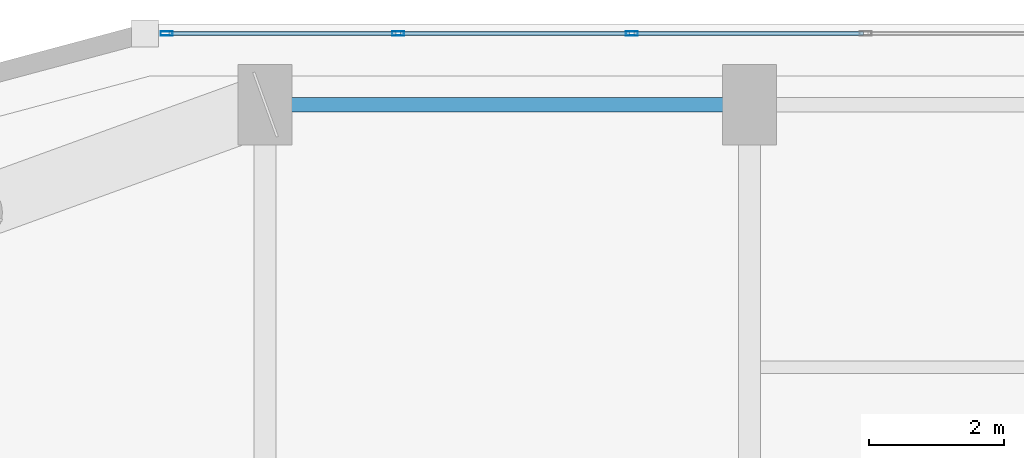
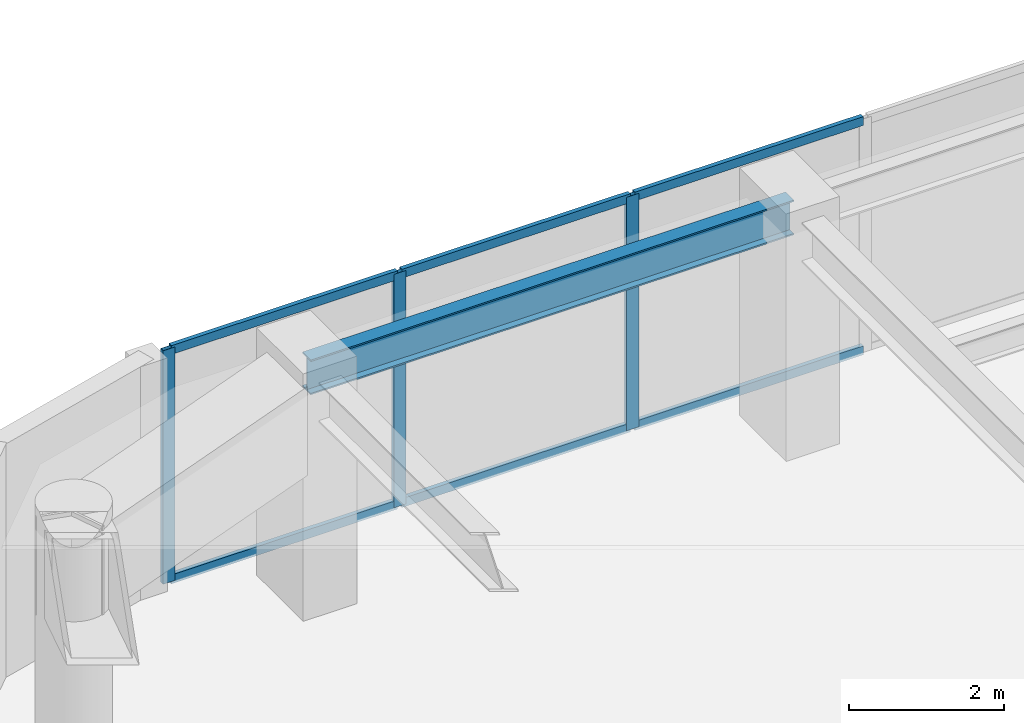
# One storey, part 17 of 30: 9 members, 1 beam, 1 element without a shape of its own.
"""IFC4 building model written with IfcOpenShell, lengths in metres."""

from ifc_helpers import new_model, si_unit, direction, frame, origin, origin_2d, place, context, subcontext, project, spatial, hollow_rectangle, i_section, extrude, material, layer, layer_set, material_profile, profile_set, type_object, element, aggregate, save


model = new_model("IFC4")

# Units and contexts
model_context = context("Model", 3, precision=1e-05, world=origin(), true_north=direction((0.0, 1.0)))
body_context = subcontext(model_context, "Body", "Model", "MODEL_VIEW")
ifc_project = project(units=[si_unit("LENGTHUNIT", "METRE"), si_unit("AREAUNIT", "SQUARE_METRE"), si_unit("VOLUMEUNIT", "CUBIC_METRE"), si_unit("PLANEANGLEUNIT", "RADIAN"), si_unit("MASSUNIT", "GRAM", prefix="KILO")], contexts=[model_context])

# Site, building, storey
site_placement = place(None, origin())
site = spatial("IfcSite", under=ifc_project, at=site_placement, CompositionType="ELEMENT")
building_placement = place(site_placement, origin())
building = spatial("IfcBuilding", under=site, at=building_placement, Name="Kiyonajd Concourse Tower", CompositionType="ELEMENT")
storey_placement = place(building_placement, frame((0.0, 0.0, 201.89990234375)))
storey = spatial("IfcBuildingStorey", under=building, at=storey_placement, Name="L51", CompositionType="ELEMENT", Elevation=201.89990234375)

# Beam
ifc_material_1 = material(Name="Steel ASTM A992 Grade 50", Category="steel")
ifc_material_profile_1 = material_profile(ifc_material_1, i_section(OverallWidth=0.214111328125, OverallDepth=0.549072265625, WebThickness=0.0146484375, FlangeThickness=0.023681640625, at=origin_2d()), Name="W530X138")
ifc_profile_set_1 = profile_set([ifc_material_profile_1], Name="Steel ASTM A992 Grade 50")
beam_type = type_object("IfcBeamType", Name="BM-SPAN-530A", PredefinedType="SPANDREL", material=ifc_profile_set_1)
beam_placement = place(storey_placement, frame((32.39990234375, 61.199951171875, 3.405517578125), z_axis=(-1.0, 0.0, 0.0), x_axis=(0.0, -1.0, 0.0)))
element("IfcBeam", 1, at=beam_placement, inside=storey, type_object=beam_type, Name="L51 Perimeter Bundled Tube Spandrel", PredefinedType="SPANDREL", context=body_context, shape_type="SweptSolid", body=[
    extrude(i_section(OverallWidth=0.214111328125, OverallDepth=0.549072265625, WebThickness=0.0146484375, FlangeThickness=0.023681640625, at=origin_2d()), origin(), (0.0, 0.0, 1.0), 7.199951171875),
])

# Curtain wall, members
ifc_material_2 = material(Name="Thermally Broken Anodised Aluminium", Category="aluminium")
ifc_layer = layer(ifc_material_2, 0.179931640625)
ifc_layer_set = layer_set([ifc_layer], Name="Thermally Broken Anodised Aluminium")
curtain_wall_type = type_object("IfcCurtainWallType", Name="CW-SYS-03", PredefinedType="NOTDEFINED", material=ifc_layer_set)
curtain_wall_placement = place(storey_placement, origin())
curtain_wall = element("IfcCurtainWall", 2, at=curtain_wall_placement, inside=storey, type_object=curtain_wall_type, Name="L51 Unitised Curtain Wall CW3", PredefinedType="NOTDEFINED")
ifc_material_profile_2 = material_profile(ifc_material_2, hollow_rectangle(XDim=0.06494140625, YDim=0.179931640625, WallThickness=0.00390625, at=origin_2d()), Name="MULL-65x180")
ifc_profile_set_2 = profile_set([ifc_material_profile_2], Name="Thermally Broken Anodised Aluminium")
member_type_1 = type_object("IfcMemberType", Name="MB-CW-MULL1", PredefinedType="MULLION", material=ifc_profile_set_2)
member_1_placement = place(storey_placement, frame((23.740966796875, 62.260009765625, 0.0), z_axis=(0.0, 0.0, 1.0), x_axis=(0.0, 1.0, 0.0)))
member_1 = element("IfcMember", 3, at=member_1_placement, type_object=member_type_1, Name="CW3 mullion 1", PredefinedType="MULLION", context=body_context, shape_type="SweptSolid", body=[
    extrude(hollow_rectangle(XDim=0.06494140625, YDim=0.179931640625, WallThickness=0.00390625, at=origin_2d()), origin(), (0.0, 0.0, 1.0), 3.68017578125),
])
member_2_placement = place(storey_placement, frame((27.180908203125, 62.260009765625, 0.0), z_axis=(0.0, 0.0, 1.0), x_axis=(0.0, 1.0, 0.0)))
member_2 = element("IfcMember", 4, at=member_2_placement, type_object=member_type_1, Name="CW3 mullion 2", PredefinedType="MULLION", context=body_context, shape_type="SweptSolid", body=[
    extrude(hollow_rectangle(XDim=0.06494140625, YDim=0.179931640625, WallThickness=0.00390625, at=origin_2d()), origin(), (0.0, 0.0, 1.0), 3.68017578125),
])
member_3_placement = place(storey_placement, frame((30.6533203125, 62.260009765625, 0.0), z_axis=(0.0, 0.0, 1.0), x_axis=(0.0, 1.0, 0.0)))
member_3 = element("IfcMember", 5, at=member_3_placement, type_object=member_type_1, Name="CW3 mullion 3", PredefinedType="MULLION", context=body_context, shape_type="SweptSolid", body=[
    extrude(hollow_rectangle(XDim=0.06494140625, YDim=0.179931640625, WallThickness=0.00390625, at=origin_2d()), origin(), (0.0, 0.0, 1.0), 3.68017578125),
])
ifc_material_profile_3 = material_profile(ifc_material_2, hollow_rectangle(XDim=0.06494140625, YDim=0.139892578125, WallThickness=0.00390625, at=origin_2d()), Name="TRAN-65x140")
ifc_profile_set_3 = profile_set([ifc_material_profile_3], Name="Thermally Broken Anodised Aluminium")
member_type_2 = type_object("IfcMemberType", Name="MB-CW-TRAN1", PredefinedType="USERDEFINED", material=ifc_profile_set_3)
member_4_placement = place(storey_placement, frame((23.7734375, 62.260009765625, 0.03271484375), z_axis=(1.0, 0.0, 0.0), x_axis=(0.0, 1.0, 0.0)))
member_4 = element("IfcMember", 6, at=member_4_placement, type_object=member_type_2, Name="CW3 transom 1.1", ObjectType="TRANSOM", PredefinedType="USERDEFINED", context=body_context, shape_type="SweptSolid", body=[
    extrude(hollow_rectangle(XDim=0.06494140625, YDim=0.139892578125, WallThickness=0.00390625, at=origin_2d()), origin(), (0.0, 0.0, 1.0), 3.374755859375),
])
member_5_placement = place(storey_placement, frame((23.7734375, 62.260009765625, 3.647705078125), z_axis=(1.0, 0.0, 0.0), x_axis=(0.0, 1.0, 0.0)))
member_5 = element("IfcMember", 7, at=member_5_placement, type_object=member_type_2, Name="CW3 transom 1.2", ObjectType="TRANSOM", PredefinedType="USERDEFINED", context=body_context, shape_type="SweptSolid", body=[
    extrude(hollow_rectangle(XDim=0.06494140625, YDim=0.139892578125, WallThickness=0.00390625, at=origin_2d()), origin(), (0.0, 0.0, 1.0), 3.374755859375),
])
member_6_placement = place(storey_placement, frame((27.21337890625, 62.260009765625, 0.03271484375), z_axis=(1.0, 0.0, 0.0), x_axis=(0.0, 1.0, 0.0)))
member_6 = element("IfcMember", 8, at=member_6_placement, type_object=member_type_2, Name="CW3 transom 2.1", ObjectType="TRANSOM", PredefinedType="USERDEFINED", context=body_context, shape_type="SweptSolid", body=[
    extrude(hollow_rectangle(XDim=0.06494140625, YDim=0.139892578125, WallThickness=0.00390625, at=origin_2d()), origin(), (0.0, 0.0, 1.0), 3.4072265625),
])
member_7_placement = place(storey_placement, frame((27.21337890625, 62.260009765625, 3.647705078125), z_axis=(1.0, 0.0, 0.0), x_axis=(0.0, 1.0, 0.0)))
member_7 = element("IfcMember", 9, at=member_7_placement, type_object=member_type_2, Name="CW3 transom 2.2", ObjectType="TRANSOM", PredefinedType="USERDEFINED", context=body_context, shape_type="SweptSolid", body=[
    extrude(hollow_rectangle(XDim=0.06494140625, YDim=0.139892578125, WallThickness=0.00390625, at=origin_2d()), origin(), (0.0, 0.0, 1.0), 3.4072265625),
])
member_8_placement = place(storey_placement, frame((30.685791015625, 62.260009765625, 0.03271484375), z_axis=(1.0, 0.0, 0.0), x_axis=(0.0, 1.0, 0.0)))
member_8 = element("IfcMember", 10, at=member_8_placement, type_object=member_type_2, Name="CW3 transom 3.1", ObjectType="TRANSOM", PredefinedType="USERDEFINED", context=body_context, shape_type="SweptSolid", body=[
    extrude(hollow_rectangle(XDim=0.06494140625, YDim=0.139892578125, WallThickness=0.00390625, at=origin_2d()), origin(), (0.0, 0.0, 1.0), 3.4072265625),
])
member_9_placement = place(storey_placement, frame((30.685791015625, 62.260009765625, 3.647705078125), z_axis=(1.0, 0.0, 0.0), x_axis=(0.0, 1.0, 0.0)))
member_9 = element("IfcMember", 11, at=member_9_placement, type_object=member_type_2, Name="CW3 transom 3.2", ObjectType="TRANSOM", PredefinedType="USERDEFINED", context=body_context, shape_type="SweptSolid", body=[
    extrude(hollow_rectangle(XDim=0.06494140625, YDim=0.139892578125, WallThickness=0.00390625, at=origin_2d()), origin(), (0.0, 0.0, 1.0), 3.4072265625),
])
aggregate(curtain_wall, [member_1, member_2, member_3, member_4, member_5, member_6, member_7, member_8, member_9])

save(model, "model.ifc")
